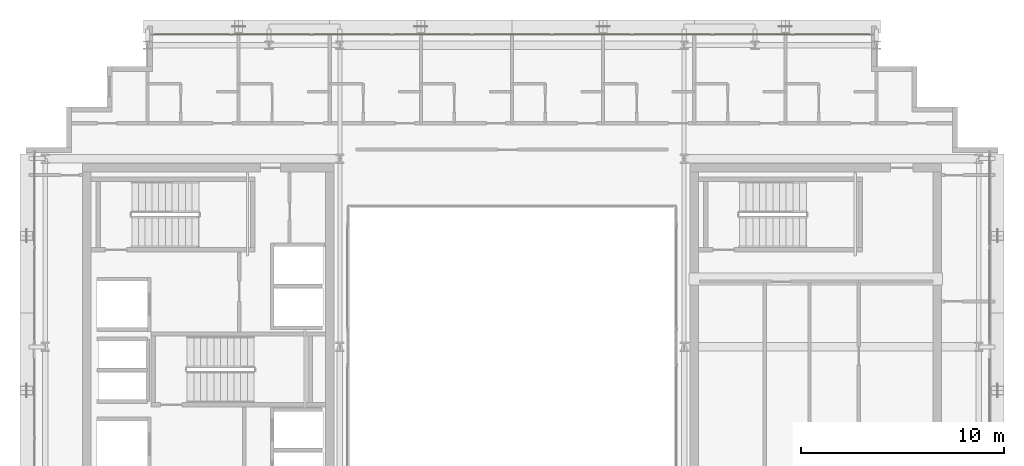
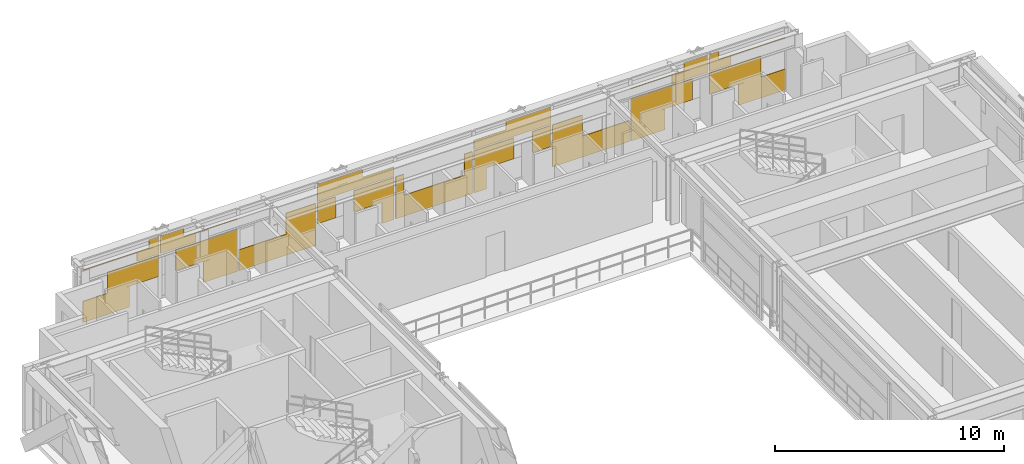
# One storey, part 29 of 29: 1 covering.
"""IFC4 building model written with IfcOpenShell, lengths in metres."""

import ifcopenshell
import ifcopenshell.guid

model = None  # the IFC model being written
_history = None  # IfcOwnerHistory: only IFC2X3 demands one
_inside = {}  # id of a spatial element -> (the spatial element, [elements in it])
_under = {}  # id of a project, library or spatial element -> (it, [spatial elements below it])
_declared = {}  # id of a project -> (the project, [libraries it declares])
_typed = {}  # id of a type object -> (the type object, [elements of that type])
_made_of = {}  # id of a material, layer set ... -> (it, [elements and type objects made of it])


def new_model(schema):
    """Start an empty IFC model of exactly this schema.

    Asked for "IFC4X3", IfcOpenShell would pick the latest addendum, in which some entities
    have other attributes; the version numbers below select the first issue.
    IFC2X3 requires an IfcOwnerHistory on every rooted entity: one is made here for all.
    """
    global model, _history
    if schema == "IFC4X3":
        model = ifcopenshell.file(schema_version=(4, 3, 0, 0))
    else:
        model = ifcopenshell.file(schema=schema)
    _inside.clear()
    _under.clear()
    _declared.clear()
    _typed.clear()
    _made_of.clear()
    _history = None
    if model.schema == "IFC2X3":
        org = make("IfcOrganization", Name="unknown")
        user = make(
            "IfcPersonAndOrganization",
            ThePerson=make("IfcPerson", FamilyName="unknown"),
            TheOrganization=org,
        )
        app = make(
            "IfcApplication",
            ApplicationDeveloper=org,
            Version="unknown",
            ApplicationFullName="unknown",
            ApplicationIdentifier="unknown",
        )
        _history = make(
            "IfcOwnerHistory",
            OwningUser=user,
            OwningApplication=app,
            ChangeAction="ADDED",
            CreationDate=0,
        )
    return model


def make(cls, **values):
    """One entity of the class cls with the attributes given. An attribute that is None is left unset."""
    return model.create_entity(
        cls, **{name: value for name, value in values.items() if value is not None}
    )


def rooted(cls, **values):
    """An entity with a GlobalId (a new one), such as an element, a storey or a relation."""
    return make(cls, GlobalId=ifcopenshell.guid.new(), OwnerHistory=_history, **values)


def si_unit(unit_type, name, prefix=None):
    """IfcSIUnit, for example si_unit("LENGTHUNIT", "METRE", prefix="MILLI")."""
    return make("IfcSIUnit", UnitType=unit_type, Prefix=prefix, Name=name)


def assignment(units):
    """IfcUnitAssignment: the units of a project."""
    return None if units is None else make("IfcUnitAssignment", Units=units)


def point(xyz):
    """IfcCartesianPoint."""
    return None if xyz is None else make("IfcCartesianPoint", Coordinates=xyz)


def direction(xyz):
    """IfcDirection."""
    return None if xyz is None else make("IfcDirection", DirectionRatios=xyz)


def frame(location, z_axis=None, x_axis=None):
    """IfcAxis2Placement3D, a coordinate frame: its origin and axes. An axis left out is left unset."""
    return make(
        "IfcAxis2Placement3D",
        Location=point(location),
        Axis=direction(z_axis),
        RefDirection=direction(x_axis),
    )


def frame_2d(location, x_axis=None):
    """IfcAxis2Placement2D, a coordinate frame in the plane: its origin and x axis."""
    return make(
        "IfcAxis2Placement2D", Location=point(location), RefDirection=direction(x_axis)
    )


def origin():
    """The frame at (0, 0, 0) with its axes left unset."""
    return frame((0.0, 0.0, 0.0))


def origin_2d():
    """The frame at (0, 0) in the plane with its x axis left unset."""
    return frame_2d((0.0, 0.0))


def place(relative_to, where):
    """IfcLocalPlacement: puts the frame where relative to a parent placement (None: the world)."""
    return make(
        "IfcLocalPlacement", PlacementRelTo=relative_to, RelativePlacement=where
    )


def context(
    kind, dimensions, precision=None, world=None, true_north=None, identifier=None
):
    """IfcGeometricRepresentationContext, for example the 3D "Model" context."""
    return make(
        "IfcGeometricRepresentationContext",
        ContextIdentifier=identifier,
        ContextType=kind,
        CoordinateSpaceDimension=dimensions,
        Precision=precision,
        WorldCoordinateSystem=world,
        TrueNorth=true_north,
    )


def subcontext(parent, identifier, kind, view, scale=None):
    """IfcGeometricRepresentationSubContext, for example "Body" below "Model"."""
    return make(
        "IfcGeometricRepresentationSubContext",
        ContextIdentifier=identifier,
        ContextType=kind,
        ParentContext=parent,
        TargetScale=scale,
        TargetView=view,
    )


def project(units=None, contexts=None):
    """IfcProject with its units and contexts."""
    return rooted(
        "IfcProject",
        Name="project",
        RepresentationContexts=contexts,
        UnitsInContext=assignment(units),
    )


def spatial(cls, under=None, at=None, **own):
    """A site, building, storey or space (cls), placed at a placement, below another one or the project."""
    s = rooted(cls, ObjectPlacement=at, **own)
    if under is not None:
        _under.setdefault(under.id(), (under, []))[1].append(s)
    return s


def profile(cls, at=None, kind="AREA", **sizes):
    """A parametric profile (cls). Its sizes go by their IFC names, for example OverallWidth=200.0."""
    return make(cls, ProfileType=kind, Position=at, **sizes)


def rectangle(**sizes):
    """IfcRectangleProfileDef."""
    return profile("IfcRectangleProfileDef", **sizes)


def extrude(swept, where, along, depth):
    """IfcExtrudedAreaSolid: the profile swept, set in the frame where, extruded along a direction by depth."""
    return make(
        "IfcExtrudedAreaSolid",
        SweptArea=swept,
        Position=where,
        ExtrudedDirection=direction(along),
        Depth=depth,
    )


def shape(context_of_items, identifier, shape_type, items):
    """IfcShapeRepresentation: the items that make up one representation, for example the "Body"."""
    return make(
        "IfcShapeRepresentation",
        ContextOfItems=context_of_items,
        RepresentationIdentifier=identifier,
        RepresentationType=shape_type,
        Items=items,
    )


def material(Name=None, Category=None):
    """IfcMaterial."""
    return make("IfcMaterial", Name=Name, Category=Category)


def layer(
    of_material, thickness, ventilated=None, Name=None, Category=None, Priority=None
):
    """IfcMaterialLayer: one layer of a wall or slab, of a material (None: an air gap)."""
    return make(
        "IfcMaterialLayer",
        Material=of_material,
        LayerThickness=thickness,
        IsVentilated=ventilated,
        Name=Name,
        Category=Category,
        Priority=Priority,
    )


def layer_set(layers, Name=None):
    """IfcMaterialLayerSet."""
    return make("IfcMaterialLayerSet", MaterialLayers=layers, LayerSetName=Name)


def made_of(thing, what):
    """Note that an element or type object is made of a material, layer set ...; save() writes the relation."""
    if what is not None:
        _made_of.setdefault(what.id(), (what, []))[1].append(thing)
    return thing


def type_object(cls, material=None, **own):
    """A type object (cls), such as IfcWallType, which elements share."""
    return made_of(rooted(cls, **own), material)


def element(
    cls,
    number,
    at=None,
    inside=None,
    cuts=None,
    type_object=None,
    material=None,
    context=None,
    identifier="Body",
    shape_type=None,
    held_by="IfcProductDefinitionShape",
    body=None,
    shapes=None,
    **own,
):
    """One element of the class cls, such as IfcWall. Its Tag is "e" and its number.

    at: its placement. inside: the storey or other place that contains it. cuts: it is an
    opening in that element (IfcRelVoidsElement). A single representation is given by context,
    identifier, shape_type and body (its items); several are given by shapes. held_by: the class
    of the entity that holds the representations. save() writes the other relations.
    """
    e = rooted(cls, Tag="e%d" % number, ObjectPlacement=at, **own)
    if body is not None:
        shapes = [shape(context, identifier, shape_type, body)]
    if shapes is not None:
        e.Representation = make(held_by, Representations=shapes)
    if inside is not None:
        _inside.setdefault(inside.id(), (inside, []))[1].append(e)
    if cuts is not None:
        rooted(
            "IfcRelVoidsElement", RelatingBuildingElement=cuts, RelatedOpeningElement=e
        )
    if type_object is not None:
        _typed.setdefault(type_object.id(), (type_object, []))[1].append(e)
    return made_of(e, material)


def aggregate(whole, parts):
    """IfcRelAggregates: a whole, such as a stair, and the parts it consists of."""
    return rooted("IfcRelAggregates", RelatingObject=whole, RelatedObjects=parts)


def save(model, path):
    """Write the relations noted so far, then the file.

    IfcRelAggregates (storeys below a building ...), IfcRelContainedInSpatialStructure (elements
    in a storey), IfcRelDefinesByType, IfcRelAssociatesMaterial and IfcRelDeclares: one each for
    every whole, place, type object, material and project.
    """
    for whole, parts in _under.values():
        aggregate(whole, parts)
    for where, things in _inside.values():
        rooted(
            "IfcRelContainedInSpatialStructure",
            RelatedElements=things,
            RelatingStructure=where,
        )
    for kind, things in _typed.values():
        rooted("IfcRelDefinesByType", RelatedObjects=things, RelatingType=kind)
    for what, things in _made_of.values():
        rooted("IfcRelAssociatesMaterial", RelatedObjects=things, RelatingMaterial=what)
    for by, libraries in _declared.values():
        rooted("IfcRelDeclares", RelatingContext=by, RelatedDefinitions=libraries)
    model.write(path)


model = new_model("IFC4")

# Units and contexts
model_context = context("Model", 3, precision=1e-05, world=origin(), true_north=direction((0.0, 1.0)))
body_context = subcontext(model_context, "Body", "Model", "MODEL_VIEW")
ifc_project = project(units=[si_unit("LENGTHUNIT", "METRE"), si_unit("AREAUNIT", "SQUARE_METRE"), si_unit("VOLUMEUNIT", "CUBIC_METRE"), si_unit("PLANEANGLEUNIT", "RADIAN"), si_unit("MASSUNIT", "GRAM", prefix="KILO")], contexts=[model_context])

# Site, building, storey
site_placement = place(None, origin())
site = spatial("IfcSite", under=ifc_project, at=site_placement, CompositionType="ELEMENT")
building_placement = place(site_placement, origin())
building = spatial("IfcBuilding", under=site, at=building_placement, Name="Ocotamira Hotel", CompositionType="ELEMENT")
storey_placement = place(building_placement, frame((0.0, 0.0, 236.39990234375)))
storey = spatial("IfcBuildingStorey", under=building, at=storey_placement, Name="L59", CompositionType="ELEMENT", Elevation=236.39990234375)

# Covering
ifc_material = material(Name="Insulated pale-metal aluminium spandrel panel", Category="aluminium")
ifc_layer = layer(ifc_material, 0.044921875)
ifc_layer_set = layer_set([ifc_layer], Name="Insulated pale-metal aluminium spandrel panel")
covering_type = type_object("IfcCoveringType", Name="COV-INFILL-45", PredefinedType="CLADDING", material=ifc_layer_set)
covering_placement = place(storey_placement, origin())
element("IfcCovering", 1, at=covering_placement, inside=storey, type_object=covering_type, Name="L59 Curtain Wall Infill CW-5 CW-L59-N", PredefinedType="CLADDING", context=body_context, shape_type="SweptSolid", body=[
    extrude(rectangle(XDim=2.35888671875, YDim=0.044921875, at=origin_2d()), frame((15.4599609375, 43.580078125, 0.07568359375), z_axis=(0.0, 0.0, 1.0), x_axis=(1.0, 0.0, 0.0)), (0.0, 0.0, 1.0), 1.117919921875),
    extrude(rectangle(XDim=2.59521484375, YDim=0.044921875, at=origin_2d()), frame((16.8173828125, 43.580078125, 1.1943359375), z_axis=(0.0, 0.0, 1.0), x_axis=(1.0, 0.0, 0.0)), (0.0, 0.0, 1.0), 1.117919921875),
    extrude(rectangle(XDim=3.834716796875, YDim=0.044921875, at=origin_2d()), frame((16.19775390625, 43.580078125, 2.841552734375), z_axis=(0.0, 0.0, 1.0), x_axis=(1.0, 0.0, 0.0)), (0.0, 0.0, 1.0), 0.0302734375),
    extrude(rectangle(XDim=1.10302734375, YDim=0.044921875, at=origin_2d()), frame((17.563720703125, 43.580078125, 2.38818359375), z_axis=(0.0, 0.0, 1.0), x_axis=(1.0, 0.0, 0.0)), (0.0, 0.0, 1.0), 0.45263671875),
    extrude(rectangle(XDim=0.496826171875, YDim=0.044921875, at=origin_2d()), frame((17.86669921875, 43.580078125, 2.873046875), z_axis=(0.0, 0.0, 1.0), x_axis=(1.0, 0.0, 0.0)), (0.0, 0.0, 1.0), 0.431640625),
    extrude(rectangle(XDim=3.1083984375, YDim=0.044921875, at=origin_2d()), frame((20.516357421875, 43.580078125, 1.1943359375), z_axis=(0.0, 0.0, 1.0), x_axis=(1.0, 0.0, 0.0)), (0.0, 0.0, 1.0), 1.117919921875),
    extrude(rectangle(XDim=1.710205078125, YDim=0.044921875, at=origin_2d()), frame((21.215576171875, 43.580078125, 0.07568359375), z_axis=(0.0, 0.0, 1.0), x_axis=(1.0, 0.0, 0.0)), (0.0, 0.0, 1.0), 1.117919921875),
    extrude(rectangle(XDim=1.791748046875, YDim=0.044921875, at=origin_2d()), frame((19.092041015625, 43.580078125, 2.38818359375), z_axis=(0.0, 0.0, 1.0), x_axis=(1.0, 0.0, 0.0)), (0.0, 0.0, 1.0), 0.45263671875),
    extrude(rectangle(XDim=3.87451171875, YDim=0.044921875, at=origin_2d()), frame((20.13330078125, 43.580078125, 2.841552734375), z_axis=(0.0, 0.0, 1.0), x_axis=(1.0, 0.0, 0.0)), (0.0, 0.0, 1.0), 0.0302734375),
    extrude(rectangle(XDim=1.185791015625, YDim=0.044921875, at=origin_2d()), frame((18.7890625, 43.580078125, 2.873046875), z_axis=(0.0, 0.0, 1.0), x_axis=(1.0, 0.0, 0.0)), (0.0, 0.0, 1.0), 0.431640625),
    extrude(rectangle(XDim=3.87451171875, YDim=0.044921875, at=origin_2d()), frame((24.0888671875, 43.580078125, 0.07568359375), z_axis=(0.0, 0.0, 1.0), x_axis=(1.0, 0.0, 0.0)), (0.0, 0.0, 1.0), 1.117919921875),
    extrude(rectangle(XDim=1.50634765625, YDim=0.044921875, at=origin_2d()), frame((25.27294921875, 43.580078125, 1.1943359375), z_axis=(0.0, 0.0, 1.0), x_axis=(1.0, 0.0, 0.0)), (0.0, 0.0, 1.0), 1.117919921875),
    extrude(rectangle(XDim=0.9306640625, YDim=0.044921875, at=origin_2d()), frame((26.572509765625, 43.580078125, 1.1943359375), z_axis=(0.0, 0.0, 1.0), x_axis=(1.0, 0.0, 0.0)), (0.0, 0.0, 1.0), 1.117919921875),
    extrude(rectangle(XDim=2.01953125, YDim=0.044921875, at=origin_2d()), frame((28.971923828125, 43.580078125, 1.1943359375), z_axis=(0.0, 0.0, 1.0), x_axis=(1.0, 0.0, 0.0)), (0.0, 0.0, 1.0), 1.117919921875),
    extrude(rectangle(XDim=0.62109375, YDim=0.044921875, at=origin_2d()), frame((29.671142578125, 43.580078125, 0.07568359375), z_axis=(0.0, 0.0, 1.0), x_axis=(1.0, 0.0, 0.0)), (0.0, 0.0, 1.0), 1.117919921875),
    extrude(rectangle(XDim=3.87451171875, YDim=0.044921875, at=origin_2d()), frame((28.04443359375, 43.580078125, 2.387939453125), z_axis=(0.0, 0.0, 1.0), x_axis=(1.0, 0.0, 0.0)), (0.0, 0.0, 1.0), 0.48388671875),
    extrude(rectangle(XDim=2.274658203125, YDim=0.044921875, at=origin_2d()), frame((27.244384765625, 43.580078125, 2.873046875), z_axis=(0.0, 0.0, 1.0), x_axis=(1.0, 0.0, 0.0)), (0.0, 0.0, 1.0), 0.431640625),
    extrude(rectangle(XDim=3.87451171875, YDim=0.044921875, at=origin_2d()), frame((32.0, 43.580078125, 0.07568359375), z_axis=(0.0, 0.0, 1.0), x_axis=(1.0, 0.0, 0.0)), (0.0, 0.0, 1.0), 1.117919921875),
    extrude(rectangle(XDim=0.41748046875, YDim=0.044921875, at=origin_2d()), frame((30.271484375, 43.580078125, 1.1943359375), z_axis=(0.0, 0.0, 1.0), x_axis=(1.0, 0.0, 0.0)), (0.0, 0.0, 1.0), 1.117919921875),
    extrude(rectangle(XDim=0.41748046875, YDim=0.044921875, at=origin_2d()), frame((33.728515625, 43.580078125, 1.1943359375), z_axis=(0.0, 0.0, 1.0), x_axis=(1.0, 0.0, 0.0)), (0.0, 0.0, 1.0), 1.117919921875),
    extrude(rectangle(XDim=0.62109375, YDim=0.044921875, at=origin_2d()), frame((34.328857421875, 43.580078125, 0.07568359375), z_axis=(0.0, 0.0, 1.0), x_axis=(1.0, 0.0, 0.0)), (0.0, 0.0, 1.0), 1.117919921875),
    extrude(rectangle(XDim=2.01953125, YDim=0.044921875, at=origin_2d()), frame((35.028076171875, 43.580078125, 1.1943359375), z_axis=(0.0, 0.0, 1.0), x_axis=(1.0, 0.0, 0.0)), (0.0, 0.0, 1.0), 1.117919921875),
    extrude(rectangle(XDim=0.9306640625, YDim=0.044921875, at=origin_2d()), frame((37.427490234375, 43.580078125, 1.1943359375), z_axis=(0.0, 0.0, 1.0), x_axis=(1.0, 0.0, 0.0)), (0.0, 0.0, 1.0), 1.117919921875),
    extrude(rectangle(XDim=3.87451171875, YDim=0.044921875, at=origin_2d()), frame((35.95556640625, 43.580078125, 2.387939453125), z_axis=(0.0, 0.0, 1.0), x_axis=(1.0, 0.0, 0.0)), (0.0, 0.0, 1.0), 0.48388671875),
    extrude(rectangle(XDim=2.274658203125, YDim=0.044921875, at=origin_2d()), frame((36.755615234375, 43.580078125, 2.873046875), z_axis=(0.0, 0.0, 1.0), x_axis=(1.0, 0.0, 0.0)), (0.0, 0.0, 1.0), 0.431640625),
    extrude(rectangle(XDim=3.87451171875, YDim=0.044921875, at=origin_2d()), frame((39.9111328125, 43.580078125, 0.07568359375), z_axis=(0.0, 0.0, 1.0), x_axis=(1.0, 0.0, 0.0)), (0.0, 0.0, 1.0), 1.117919921875),
    extrude(rectangle(XDim=1.50634765625, YDim=0.044921875, at=origin_2d()), frame((38.72705078125, 43.580078125, 1.1943359375), z_axis=(0.0, 0.0, 1.0), x_axis=(1.0, 0.0, 0.0)), (0.0, 0.0, 1.0), 1.117919921875),
    extrude(rectangle(XDim=1.710205078125, YDim=0.044921875, at=origin_2d()), frame((42.784423828125, 43.580078125, 0.07568359375), z_axis=(0.0, 0.0, 1.0), x_axis=(1.0, 0.0, 0.0)), (0.0, 0.0, 1.0), 1.117919921875),
    extrude(rectangle(XDim=3.1083984375, YDim=0.044921875, at=origin_2d()), frame((43.483642578125, 43.580078125, 1.1943359375), z_axis=(0.0, 0.0, 1.0), x_axis=(1.0, 0.0, 0.0)), (0.0, 0.0, 1.0), 1.117919921875),
    extrude(rectangle(XDim=3.87451171875, YDim=0.044921875, at=origin_2d()), frame((43.86669921875, 43.580078125, 2.841552734375), z_axis=(0.0, 0.0, 1.0), x_axis=(1.0, 0.0, 0.0)), (0.0, 0.0, 1.0), 0.0302734375),
    extrude(rectangle(XDim=1.791748046875, YDim=0.044921875, at=origin_2d()), frame((44.907958984375, 43.580078125, 2.38818359375), z_axis=(0.0, 0.0, 1.0), x_axis=(1.0, 0.0, 0.0)), (0.0, 0.0, 1.0), 0.45263671875),
    extrude(rectangle(XDim=1.185791015625, YDim=0.044921875, at=origin_2d()), frame((45.2109375, 43.580078125, 2.873046875), z_axis=(0.0, 0.0, 1.0), x_axis=(1.0, 0.0, 0.0)), (0.0, 0.0, 1.0), 0.431640625),
    extrude(rectangle(XDim=2.59521484375, YDim=0.044921875, at=origin_2d()), frame((47.1826171875, 43.580078125, 1.1943359375), z_axis=(0.0, 0.0, 1.0), x_axis=(1.0, 0.0, 0.0)), (0.0, 0.0, 1.0), 1.117919921875),
    extrude(rectangle(XDim=2.35888671875, YDim=0.044921875, at=origin_2d()), frame((48.5400390625, 43.580078125, 0.07568359375), z_axis=(0.0, 0.0, 1.0), x_axis=(1.0, 0.0, 0.0)), (0.0, 0.0, 1.0), 1.117919921875),
    extrude(rectangle(XDim=1.10302734375, YDim=0.044921875, at=origin_2d()), frame((46.436279296875, 43.580078125, 2.38818359375), z_axis=(0.0, 0.0, 1.0), x_axis=(1.0, 0.0, 0.0)), (0.0, 0.0, 1.0), 0.45263671875),
    extrude(rectangle(XDim=3.834716796875, YDim=0.044921875, at=origin_2d()), frame((47.80224609375, 43.580078125, 2.841552734375), z_axis=(0.0, 0.0, 1.0), x_axis=(1.0, 0.0, 0.0)), (0.0, 0.0, 1.0), 0.0302734375),
    extrude(rectangle(XDim=0.496826171875, YDim=0.044921875, at=origin_2d()), frame((46.13330078125, 43.580078125, 2.873046875), z_axis=(0.0, 0.0, 1.0), x_axis=(1.0, 0.0, 0.0)), (0.0, 0.0, 1.0), 0.431640625),
])

save(model, "model.ifc")
